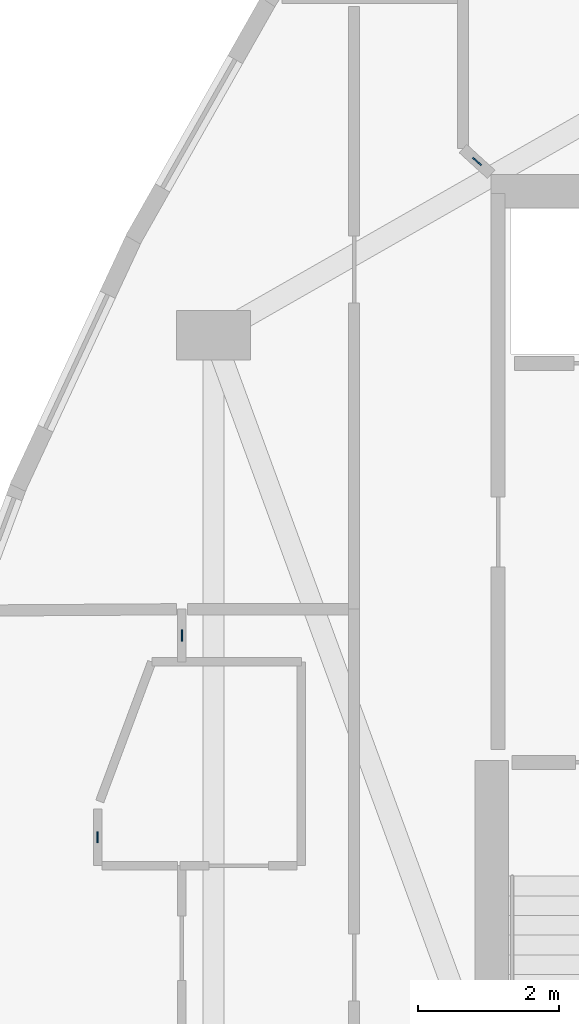
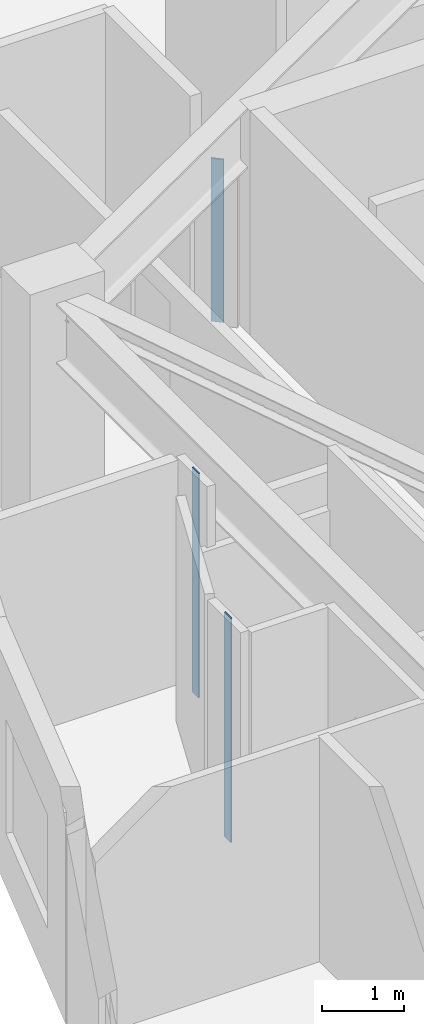
# One storey, part 4 of 13: 3 plates.
"""IFC4 building model written with IfcOpenShell, lengths in metres."""

from ifc_helpers import new_model, si_unit, direction, frame, origin, origin_2d, place, context, subcontext, project, spatial, rectangle, extrude, material, layer, layer_set, type_object, element, save


model = new_model("IFC4")

# Units and contexts
model_context = context("Model", 3, precision=1e-05, world=origin(), true_north=direction((0.0, 1.0)))
body_context = subcontext(model_context, "Body", "Model", "MODEL_VIEW")
ifc_project = project(units=[si_unit("LENGTHUNIT", "METRE"), si_unit("AREAUNIT", "SQUARE_METRE"), si_unit("VOLUMEUNIT", "CUBIC_METRE"), si_unit("PLANEANGLEUNIT", "RADIAN"), si_unit("MASSUNIT", "GRAM", prefix="KILO")], contexts=[model_context])

# Site, building, storey
site_placement = place(None, origin())
site = spatial("IfcSite", under=ifc_project, at=site_placement, CompositionType="ELEMENT")
building_placement = place(site_placement, origin())
building = spatial("IfcBuilding", under=site, at=building_placement, Name="Miruveldt Soraemaru", CompositionType="ELEMENT")
storey_placement = place(building_placement, frame((0.0, 0.0, 198.0)))
storey = spatial("IfcBuildingStorey", under=building, at=storey_placement, Name="L54", CompositionType="ELEMENT", Elevation=198.0)

# Plates
ifc_material = material(Name="Anodised aluminium EN AW-6063 T6", Category="aluminium")
ifc_layer = layer(ifc_material, 0.02001953125, Name="Anodised aluminium EN AW-6063 T6", Category="aluminium")
ifc_layer_set = layer_set([ifc_layer], Name="Anodised aluminium EN AW-6063 T6")
plate_type = type_object("IfcPlateType", Name="PLT-PART-TRIM", PredefinedType="SHEET", material=ifc_layer_set)
for number, where, z_axis, x_axis, name in (
    (1, (29.75, 43.25439453125, 0.0), (0.0, 0.0, 1.0), (0.0, -1.0, 0.0), "L54 Partition Step Corner Trim Plate 041"),
    (2, (30.949951171875, 46.125, 0.0), (0.0, 0.0, 1.0), (0.0, -1.0, 0.0), "L54 Partition Step Corner Trim Plate 038"),
):
    element("IfcPlate", number, at=place(storey_placement, frame(where, z_axis=z_axis, x_axis=x_axis)), inside=storey, type_object=plate_type, Name=name, PredefinedType="SHEET", context=body_context, shape_type="SweptSolid", body=[
        extrude(rectangle(XDim=0.159912109375, YDim=0.02001953125, at=origin_2d()), origin(), (0.0, 0.0, 1.0), 3.344970703125),
    ])
plate_placement = place(storey_placement, frame((35.14990234375, 52.87255859375, 0.0), z_axis=(0.0, 0.0, 1.0), x_axis=(0.738690671568, -0.674044576967, 0.0)))
element("IfcPlate", 3, at=plate_placement, inside=storey, type_object=plate_type, Name="L54 Partition Step Corner Trim Plate 001", PredefinedType="SHEET", context=body_context, shape_type="SweptSolid", body=[
    extrude(rectangle(XDim=0.159912109375, YDim=0.02001953125, at=origin_2d()), origin(), (0.0, 0.0, 1.0), 2.43310546875),
])

save(model, "model.ifc")
